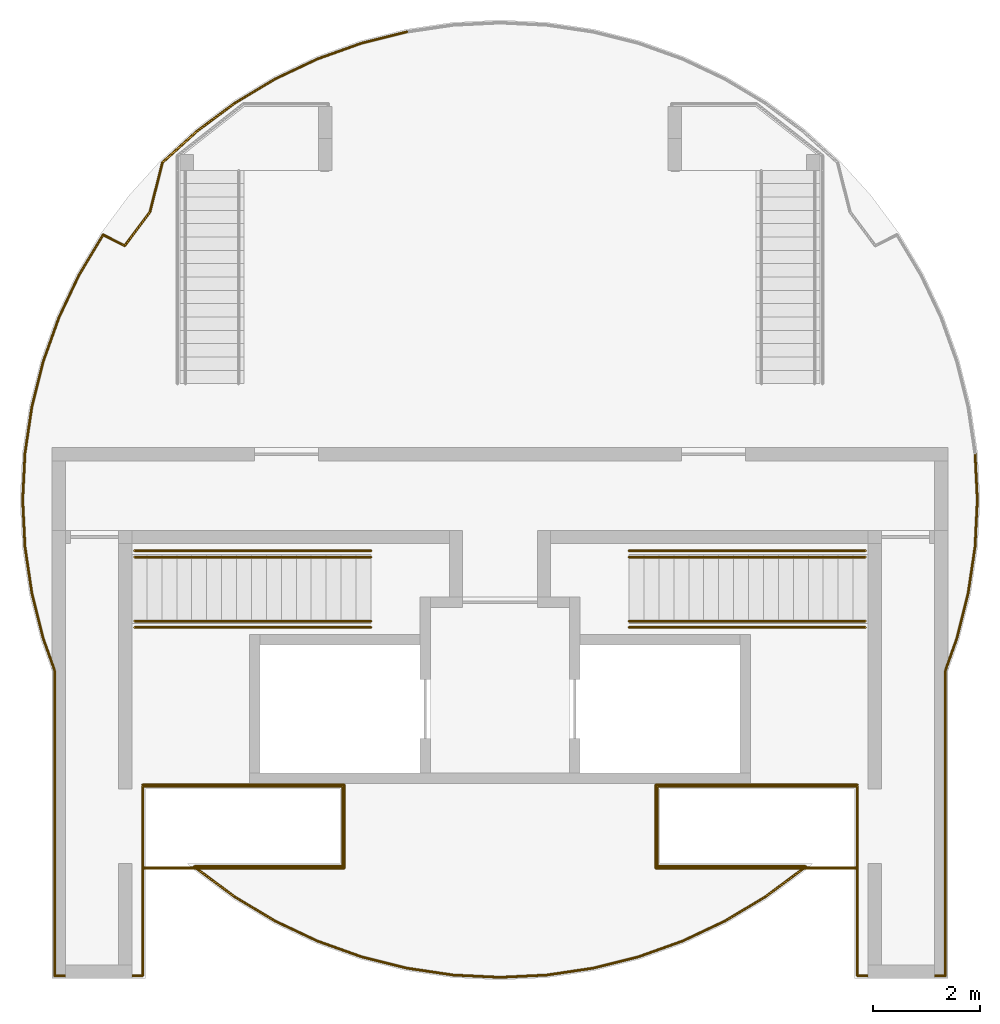
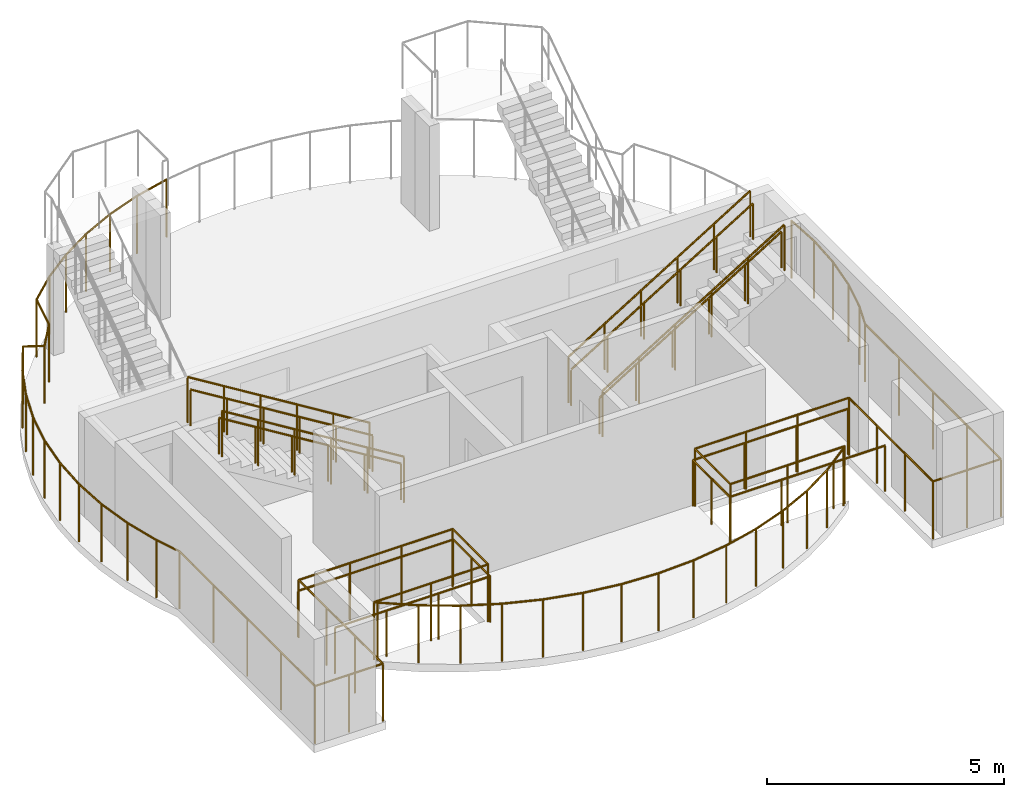
# One storey, part 3 of 4: 14 railings.
"""IFC4 building model written with IfcOpenShell, lengths in metres."""

from ifc_helpers import new_model, si_unit, direction, frame, origin, origin_2d, place, context, subcontext, project, spatial, circle, extrude, material, type_object, element, save


model = new_model("IFC4")

# Units and contexts
model_context = context("Model", 3, precision=1e-05, world=origin(), true_north=direction((0.0, 1.0)))
body_context = subcontext(model_context, "Body", "Model", "MODEL_VIEW")
ifc_project = project(units=[si_unit("LENGTHUNIT", "METRE"), si_unit("AREAUNIT", "SQUARE_METRE"), si_unit("VOLUMEUNIT", "CUBIC_METRE"), si_unit("PLANEANGLEUNIT", "RADIAN"), si_unit("MASSUNIT", "GRAM", prefix="KILO")], contexts=[model_context])

# Site, building, storey
site_placement = place(None, origin())
site = spatial("IfcSite", under=ifc_project, at=site_placement, CompositionType="ELEMENT")
building_placement = place(site_placement, origin())
building = spatial("IfcBuilding", under=site, at=building_placement, Name="Fogline Exchange Tower", CompositionType="ELEMENT")
storey_placement = place(building_placement, frame((0.0, 0.0, 369.199951171875)))
storey = spatial("IfcBuildingStorey", under=building, at=storey_placement, Name="RF-2", CompositionType="ELEMENT", Elevation=369.199951171875)

# Railings
ifc_material = material(Name="Stainless steel 304", Category="steel")
railing_type_1 = type_object("IfcRailingType", Name="G1", PredefinedType="GUARDRAIL", material=ifc_material)
for number, where, name in (
    (1, (-2.419921875, 8.580078125, 0.170654296875), "Roof stair guard RS1"),
    (2, (-2.419921875, 10.02001953125, 0.170654296875), "Roof stair guard RS1"),
):
    element("IfcRailing", number, at=place(storey_placement, frame(where)), inside=storey, type_object=railing_type_1, Name=name, PredefinedType="GUARDRAIL", context=body_context, shape_type="SweptSolid", body=[
        extrude(circle(Radius=0.02392578125, at=origin_2d()), frame((0.0, 0.0, 1.17578125), z_axis=(-0.851381117402, 0.0, 0.524547607878), x_axis=(0.0, -1.0, 0.0)), (0.0, 0.0, 1.0), 5.20361328125),
        extrude(circle(Radius=0.02099609375, at=origin_2d()), origin(), (0.0, 0.0, 1.0), 1.15185546875),
        extrude(circle(Radius=0.02099609375, at=origin_2d()), frame((-0.885986328125, 0.0, 0.5458984375)), (0.0, 0.0, 1.0), 1.15185546875),
        extrude(circle(Radius=0.02099609375, at=origin_2d()), frame((-1.77197265625, 0.0, 1.091796875)), (0.0, 0.0, 1.0), 1.15185546875),
        extrude(circle(Radius=0.02099609375, at=origin_2d()), frame((-2.658203125, 0.0, 1.6376953125)), (0.0, 0.0, 1.0), 1.15185546875),
        extrude(circle(Radius=0.02099609375, at=origin_2d()), frame((-3.544189453125, 0.0, 2.18359375)), (0.0, 0.0, 1.0), 1.15185546875),
        extrude(circle(Radius=0.02099609375, at=origin_2d()), frame((-4.43017578125, 0.0, 2.7294921875)), (0.0, 0.0, 1.0), 1.15185546875),
    ])
for number, where, name in (
    (3, (2.419921875, 8.580078125, 0.170654296875), "Roof stair guard RS2"),
    (4, (2.419921875, 10.02001953125, 0.170654296875), "Roof stair guard RS2"),
):
    element("IfcRailing", number, at=place(storey_placement, frame(where)), inside=storey, type_object=railing_type_1, Name=name, PredefinedType="GUARDRAIL", context=body_context, shape_type="SweptSolid", body=[
        extrude(circle(Radius=0.02392578125, at=origin_2d()), frame((0.0, 0.0, 1.17578125), z_axis=(0.851381117402, 0.0, 0.524547607878), x_axis=(0.0, 1.0, 0.0)), (0.0, 0.0, 1.0), 5.20361328125),
        extrude(circle(Radius=0.02099609375, at=origin_2d()), origin(), (0.0, 0.0, 1.0), 1.15185546875),
        extrude(circle(Radius=0.02099609375, at=origin_2d()), frame((0.885986328125, 0.0, 0.5458984375)), (0.0, 0.0, 1.0), 1.15185546875),
        extrude(circle(Radius=0.02099609375, at=origin_2d()), frame((1.77197265625, 0.0, 1.091796875)), (0.0, 0.0, 1.0), 1.15185546875),
        extrude(circle(Radius=0.02099609375, at=origin_2d()), frame((2.658203125, 0.0, 1.6376953125)), (0.0, 0.0, 1.0), 1.15185546875),
        extrude(circle(Radius=0.02099609375, at=origin_2d()), frame((3.544189453125, 0.0, 2.18359375)), (0.0, 0.0, 1.0), 1.15185546875),
        extrude(circle(Radius=0.02099609375, at=origin_2d()), frame((4.43017578125, 0.0, 2.7294921875)), (0.0, 0.0, 1.0), 1.15185546875),
    ])
railing_1_placement = place(storey_placement, frame((-2.919921875, 4.070068359375, 0.0)))
element("IfcRailing", 5, at=railing_1_placement, inside=storey, type_object=railing_type_1, Name="Helipad stair opening guard", PredefinedType="GUARDRAIL", context=body_context, shape_type="SweptSolid", body=[
    extrude(circle(Radius=0.02392578125, at=origin_2d()), frame((0.0, 0.0, 1.17578125), z_axis=(-1.0, 0.0, 0.0), x_axis=(0.0, -1.0, 0.0)), (0.0, 0.0, 1.0), 3.780029296875),
    extrude(circle(Radius=0.02099609375, at=origin_2d()), origin(), (0.0, 0.0, 1.0), 1.15185546875),
    extrude(circle(Radius=0.02099609375, at=origin_2d()), frame((-1.260009765625, 0.0, 0.0)), (0.0, 0.0, 1.0), 1.15185546875),
    extrude(circle(Radius=0.02099609375, at=origin_2d()), frame((-2.52001953125, 0.0, 0.0)), (0.0, 0.0, 1.0), 1.15185546875),
    extrude(circle(Radius=0.02099609375, at=origin_2d()), frame((-3.780029296875, 0.0, 0.0)), (0.0, 0.0, 1.0), 1.15185546875),
])
railing_2_placement = place(storey_placement, frame((-6.699951171875, 5.6298828125, 0.0)))
element("IfcRailing", 6, at=railing_2_placement, inside=storey, type_object=railing_type_1, Name="Helipad stair opening guard", PredefinedType="GUARDRAIL", context=body_context, shape_type="SweptSolid", body=[
    extrude(circle(Radius=0.02392578125, at=origin_2d()), frame((0.0, 0.0, 1.17578125), z_axis=(1.0, 0.0, 0.0), x_axis=(0.0, 1.0, 0.0)), (0.0, 0.0, 1.0), 3.780029296875),
    extrude(circle(Radius=0.02392578125, at=origin_2d()), frame((3.780029296875, 0.0, 1.17578125), z_axis=(0.0, -1.0, 0.0), x_axis=(1.0, 0.0, 0.0)), (0.0, 0.0, 1.0), 1.559814453125),
    extrude(circle(Radius=0.02099609375, at=origin_2d()), origin(), (0.0, 0.0, 1.0), 1.15185546875),
    extrude(circle(Radius=0.02099609375, at=origin_2d()), frame((1.260009765625, 0.0, 0.0)), (0.0, 0.0, 1.0), 1.15185546875),
    extrude(circle(Radius=0.02099609375, at=origin_2d()), frame((2.52001953125, 0.0, 0.0)), (0.0, 0.0, 1.0), 1.15185546875),
    extrude(circle(Radius=0.02099609375, at=origin_2d()), frame((3.780029296875, 0.0, 0.0)), (0.0, 0.0, 1.0), 1.15185546875),
    extrude(circle(Radius=0.02099609375, at=origin_2d()), frame((3.780029296875, -0.77978515625, 0.0)), (0.0, 0.0, 1.0), 1.15185546875),
    extrude(circle(Radius=0.02099609375, at=origin_2d()), frame((3.780029296875, -1.559814453125, 0.0)), (0.0, 0.0, 1.0), 1.15185546875),
])
railing_3_placement = place(storey_placement, frame((6.699951171875, 4.070068359375, 0.0)))
element("IfcRailing", 7, at=railing_3_placement, inside=storey, type_object=railing_type_1, Name="Helipad stair opening guard", PredefinedType="GUARDRAIL", context=body_context, shape_type="SweptSolid", body=[
    extrude(circle(Radius=0.02392578125, at=origin_2d()), frame((0.0, 0.0, 1.17578125), z_axis=(-1.0, 0.0, 0.0), x_axis=(0.0, -1.0, 0.0)), (0.0, 0.0, 1.0), 3.780029296875),
    extrude(circle(Radius=0.02392578125, at=origin_2d()), frame((-3.780029296875, 0.0, 1.17578125), z_axis=(0.0, 1.0, 0.0), x_axis=(-1.0, 0.0, 0.0)), (0.0, 0.0, 1.0), 1.559814453125),
    extrude(circle(Radius=0.02392578125, at=origin_2d()), frame((-3.780029296875, 1.559814453125, 1.17578125), z_axis=(1.0, 0.0, 0.0), x_axis=(0.0, 1.0, 0.0)), (0.0, 0.0, 1.0), 3.780029296875),
    extrude(circle(Radius=0.02099609375, at=origin_2d()), origin(), (0.0, 0.0, 1.0), 1.15185546875),
    extrude(circle(Radius=0.02099609375, at=origin_2d()), frame((-1.260009765625, 0.0, 0.0)), (0.0, 0.0, 1.0), 1.15185546875),
    extrude(circle(Radius=0.02099609375, at=origin_2d()), frame((-2.52001953125, 0.0, 0.0)), (0.0, 0.0, 1.0), 1.15185546875),
    extrude(circle(Radius=0.02099609375, at=origin_2d()), frame((-3.780029296875, 0.0, 0.0)), (0.0, 0.0, 1.0), 1.15185546875),
    extrude(circle(Radius=0.02099609375, at=origin_2d()), frame((-3.780029296875, 0.77978515625, 0.0)), (0.0, 0.0, 1.0), 1.15185546875),
    extrude(circle(Radius=0.02099609375, at=origin_2d()), frame((-3.780029296875, 1.559814453125, 0.0)), (0.0, 0.0, 1.0), 1.15185546875),
    extrude(circle(Radius=0.02099609375, at=origin_2d()), frame((-2.52001953125, 1.559814453125, 0.0)), (0.0, 0.0, 1.0), 1.15185546875),
    extrude(circle(Radius=0.02099609375, at=origin_2d()), frame((-1.260009765625, 1.559814453125, 0.0)), (0.0, 0.0, 1.0), 1.15185546875),
    extrude(circle(Radius=0.02099609375, at=origin_2d()), frame((0.0, 1.559814453125, 0.0)), (0.0, 0.0, 1.0), 1.15185546875),
])
railing_type_2 = type_object("IfcRailingType", Name="G2", PredefinedType="GUARDRAIL", material=ifc_material)
railing_4_placement = place(storey_placement, frame((-8.564697265625, 8.371826171875, 0.0)))
element("IfcRailing", 8, at=railing_4_placement, inside=storey, type_object=railing_type_2, Name="Helipad safety net guard", PredefinedType="GUARDRAIL", context=body_context, shape_type="SweptSolid", body=[
    extrude(circle(Radius=0.02392578125, at=origin_2d()), frame((0.0, 0.0, 1.47607421875), z_axis=(-0.242862522725, 0.970060717201, 0.0), x_axis=(-0.970060717201, -0.242862522725, 0.0)), (0.0, 0.0, 1.0), 0.878662109375),
    extrude(circle(Radius=0.02392578125, at=origin_2d()), frame((-0.21337890625, 0.852294921875, 1.47607421875), z_axis=(-0.146790471398, 0.989167608399, 0.0), x_axis=(-0.989167608399, -0.146790471398, 0.0)), (0.0, 0.0, 1.0), 0.878173828125),
    extrude(circle(Radius=0.02392578125, at=origin_2d()), frame((-0.34228515625, 1.720947265625, 1.47607421875), z_axis=(-0.048925473982, 0.998802431913, 0.0), x_axis=(-0.998802431913, -0.048925473982, 0.0)), (0.0, 0.0, 1.0), 0.878173828125),
    extrude(circle(Radius=0.02392578125, at=origin_2d()), frame((-0.38525390625, 2.59814453125, 1.47607421875), z_axis=(0.048911893456, 0.998803097051, 0.0), x_axis=(-0.998803097051, 0.048911893456, 0.0)), (0.0, 0.0, 1.0), 0.87841796875),
    extrude(circle(Radius=0.02392578125, at=origin_2d()), frame((-0.34228515625, 3.4755859375, 1.47607421875), z_axis=(0.146790471398, 0.989167608399, 0.0), x_axis=(-0.989167608399, 0.146790471398, 0.0)), (0.0, 0.0, 1.0), 0.878173828125),
    extrude(circle(Radius=0.02392578125, at=origin_2d()), frame((-0.21337890625, 4.34423828125, 1.47607421875), z_axis=(0.24292800472, 0.970044320906, 0.0), x_axis=(-0.970044320906, 0.24292800472, 0.0)), (0.0, 0.0, 1.0), 0.87841796875),
    extrude(circle(Radius=0.02392578125, at=origin_2d()), frame((0.0, 5.1962890625, 1.47607421875), z_axis=(0.336917459354, 0.941534187155, 0.0), x_axis=(-0.941534187155, 0.336917459354, 0.0)), (0.0, 0.0, 1.0), 0.878173828125),
    extrude(circle(Radius=0.02392578125, at=origin_2d()), frame((0.2958984375, 6.023193359375, 1.47607421875), z_axis=(0.427536590389, 0.903998044178, 0.0), x_axis=(-0.903998044178, 0.427536590389, 0.0)), (0.0, 0.0, 1.0), 0.878173828125),
    extrude(circle(Radius=0.02392578125, at=origin_2d()), frame((0.67138671875, 6.817138671875, 1.47607421875), z_axis=(0.51416874267, 0.857689048584, 0.0), x_axis=(-0.857689048584, 0.51416874267, 0.0)), (0.0, 0.0, 1.0), 0.87841796875),
    extrude(circle(Radius=0.02392578125, at=origin_2d()), frame((1.123046875, 7.570556640625, 1.47607421875), z_axis=(0.892154411471, -0.451730568029, 0.0), x_axis=(0.451730568029, 0.892154411471, 0.0)), (0.0, 0.0, 1.0), 0.453369140625),
    extrude(circle(Radius=0.02392578125, at=origin_2d()), frame((1.527587890625, 7.36572265625, 1.47607421875), z_axis=(0.598862821399, 0.800851622428, 0.0), x_axis=(-0.800851622428, 0.598862821399, 0.0)), (0.0, 0.0, 1.0), 0.79052734375),
    extrude(circle(Radius=0.02392578125, at=origin_2d()), frame((2.0009765625, 7.998779296875, 1.47607421875), z_axis=(0.245594789477, 0.969372580271, 0.0), x_axis=(-0.969372580271, 0.245594789477, 0.0)), (0.0, 0.0, 1.0), 0.957275390625),
    extrude(circle(Radius=0.02392578125, at=origin_2d()), frame((2.236083984375, 8.9267578125, 1.47607421875), z_axis=(0.740995595173, 0.671509886699, 0.0), x_axis=(-0.671509886699, 0.740995595173, 0.0)), (0.0, 0.0, 1.0), 0.87841796875),
    extrude(circle(Radius=0.02392578125, at=origin_2d()), frame((2.886962890625, 9.5166015625, 1.47607421875), z_axis=(0.803158103208, 0.595765945024, 0.0), x_axis=(-0.595765945024, 0.803158103208, 0.0)), (0.0, 0.0, 1.0), 0.878173828125),
    extrude(circle(Radius=0.02392578125, at=origin_2d()), frame((3.59228515625, 10.039794921875, 1.47607421875), z_axis=(0.857689048584, 0.51416874267, 0.0), x_axis=(-0.51416874267, 0.857689048584, 0.0)), (0.0, 0.0, 1.0), 0.87841796875),
    extrude(circle(Radius=0.02392578125, at=origin_2d()), frame((4.345703125, 10.491455078125, 1.47607421875), z_axis=(0.903998044178, 0.427536590389, 0.0), x_axis=(-0.427536590389, 0.903998044178, 0.0)), (0.0, 0.0, 1.0), 0.878173828125),
    extrude(circle(Radius=0.02392578125, at=origin_2d()), frame((5.1396484375, 10.866943359375, 1.47607421875), z_axis=(0.941534187155, 0.336917459354, 0.0), x_axis=(-0.336917459354, 0.941534187155, 0.0)), (0.0, 0.0, 1.0), 0.878173828125),
    extrude(circle(Radius=0.02392578125, at=origin_2d()), frame((5.966552734375, 11.162841796875, 1.47607421875), z_axis=(0.970044320906, 0.24292800472, 0.0), x_axis=(-0.24292800472, 0.970044320906, 0.0)), (0.0, 0.0, 1.0), 0.87841796875),
    extrude(circle(Radius=0.02099609375, at=origin_2d()), origin(), (0.0, 0.0, 1.0), 1.451904296875),
    extrude(circle(Radius=0.02099609375, at=origin_2d()), frame((-0.21337890625, 0.852294921875, 0.0)), (0.0, 0.0, 1.0), 1.451904296875),
    extrude(circle(Radius=0.02099609375, at=origin_2d()), frame((-0.34228515625, 1.720947265625, 0.0)), (0.0, 0.0, 1.0), 1.451904296875),
    extrude(circle(Radius=0.02099609375, at=origin_2d()), frame((-0.38525390625, 2.59814453125, 0.0)), (0.0, 0.0, 1.0), 1.451904296875),
    extrude(circle(Radius=0.02099609375, at=origin_2d()), frame((-0.34228515625, 3.4755859375, 0.0)), (0.0, 0.0, 1.0), 1.451904296875),
    extrude(circle(Radius=0.02099609375, at=origin_2d()), frame((-0.21337890625, 4.34423828125, 0.0)), (0.0, 0.0, 1.0), 1.451904296875),
    extrude(circle(Radius=0.02099609375, at=origin_2d()), frame((0.0, 5.1962890625, 0.0)), (0.0, 0.0, 1.0), 1.451904296875),
    extrude(circle(Radius=0.02099609375, at=origin_2d()), frame((0.2958984375, 6.023193359375, 0.0)), (0.0, 0.0, 1.0), 1.451904296875),
    extrude(circle(Radius=0.02099609375, at=origin_2d()), frame((0.67138671875, 6.817138671875, 0.0)), (0.0, 0.0, 1.0), 1.451904296875),
    extrude(circle(Radius=0.02099609375, at=origin_2d()), frame((1.123046875, 7.570556640625, 0.0)), (0.0, 0.0, 1.0), 1.451904296875),
    extrude(circle(Radius=0.02099609375, at=origin_2d()), frame((1.527587890625, 7.36572265625, 0.0)), (0.0, 0.0, 1.0), 1.451904296875),
    extrude(circle(Radius=0.02099609375, at=origin_2d()), frame((2.0009765625, 7.998779296875, 0.0)), (0.0, 0.0, 1.0), 1.451904296875),
    extrude(circle(Radius=0.02099609375, at=origin_2d()), frame((2.236083984375, 8.9267578125, 0.0)), (0.0, 0.0, 1.0), 1.451904296875),
    extrude(circle(Radius=0.02099609375, at=origin_2d()), frame((2.886962890625, 9.5166015625, 0.0)), (0.0, 0.0, 1.0), 1.451904296875),
    extrude(circle(Radius=0.02099609375, at=origin_2d()), frame((3.59228515625, 10.039794921875, 0.0)), (0.0, 0.0, 1.0), 1.451904296875),
    extrude(circle(Radius=0.02099609375, at=origin_2d()), frame((4.345703125, 10.491455078125, 0.0)), (0.0, 0.0, 1.0), 1.451904296875),
    extrude(circle(Radius=0.02099609375, at=origin_2d()), frame((5.1396484375, 10.866943359375, 0.0)), (0.0, 0.0, 1.0), 1.451904296875),
    extrude(circle(Radius=0.02099609375, at=origin_2d()), frame((5.966552734375, 11.162841796875, 0.0)), (0.0, 0.0, 1.0), 1.451904296875),
    extrude(circle(Radius=0.02099609375, at=origin_2d()), frame((6.818603515625, 11.376220703125, 0.0)), (0.0, 0.0, 1.0), 1.451904296875),
])
railing_5_placement = place(storey_placement, frame((8.906982421875, 11.847412109375, 0.0)))
element("IfcRailing", 9, at=railing_5_placement, inside=storey, type_object=railing_type_2, Name="Helipad safety net guard", PredefinedType="GUARDRAIL", context=body_context, shape_type="SweptSolid", body=[
    extrude(circle(Radius=0.02392578125, at=origin_2d()), frame((0.0, 0.0, 1.47607421875), z_axis=(0.048911893456, -0.998803097051, 0.0), x_axis=(0.998803097051, 0.048911893456, 0.0)), (0.0, 0.0, 1.0), 0.87841796875),
    extrude(circle(Radius=0.02392578125, at=origin_2d()), frame((0.04296875, -0.87744140625, 1.47607421875), z_axis=(-0.048925473982, -0.998802431913, 0.0), x_axis=(0.998802431913, -0.048925473982, 0.0)), (0.0, 0.0, 1.0), 0.878173828125),
    extrude(circle(Radius=0.02392578125, at=origin_2d()), frame((0.0, -1.754638671875, 1.47607421875), z_axis=(-0.146790471398, -0.989167608399, 0.0), x_axis=(0.989167608399, -0.146790471398, 0.0)), (0.0, 0.0, 1.0), 0.878173828125),
    extrude(circle(Radius=0.02392578125, at=origin_2d()), frame((-0.12890625, -2.623291015625, 1.47607421875), z_axis=(-0.242862522725, -0.970060717201, 0.0), x_axis=(0.970060717201, -0.242862522725, 0.0)), (0.0, 0.0, 1.0), 0.878662109375),
    extrude(circle(Radius=0.02392578125, at=origin_2d()), frame((-0.34228515625, -3.4755859375, 1.47607421875), z_axis=(-0.336967727168, -0.941516197868, 0.0), x_axis=(0.941516197868, -0.336967727168, 0.0)), (0.0, 0.0, 1.0), 0.636962890625),
    extrude(circle(Radius=0.02392578125, at=origin_2d()), frame((-0.556884765625, -4.0751953125, 1.47607421875), z_axis=(0.0, -1.0, 0.0), x_axis=(1.0, 0.0, 0.0)), (0.0, 0.0, 1.0), 5.72216796875),
    extrude(circle(Radius=0.02392578125, at=origin_2d()), frame((-0.556884765625, -9.79736328125, 1.47607421875), z_axis=(-1.0, 0.0, 0.0), x_axis=(0.0, -1.0, 0.0)), (0.0, 0.0, 1.0), 1.650146484375),
    extrude(circle(Radius=0.02392578125, at=origin_2d()), frame((-2.20703125, -9.79736328125, 1.47607421875), z_axis=(0.0, 1.0, 0.0), x_axis=(-1.0, 0.0, 0.0)), (0.0, 0.0, 1.0), 3.550048828125),
    extrude(circle(Radius=0.02392578125, at=origin_2d()), frame((-2.20703125, -6.247314453125, 1.47607421875), z_axis=(-1.0, 0.0, 0.0), x_axis=(0.0, -1.0, 0.0)), (0.0, 0.0, 1.0), 3.75),
    extrude(circle(Radius=0.02392578125, at=origin_2d()), frame((-5.95703125, -6.247314453125, 1.47607421875), z_axis=(0.0, -1.0, 0.0), x_axis=(1.0, 0.0, 0.0)), (0.0, 0.0, 1.0), 1.5),
    extrude(circle(Radius=0.02392578125, at=origin_2d()), frame((-5.95703125, -7.747314453125, 1.47607421875), z_axis=(1.0, 0.0, 0.0), x_axis=(0.0, 1.0, 0.0)), (0.0, 0.0, 1.0), 2.78125),
    extrude(circle(Radius=0.02392578125, at=origin_2d()), frame((-3.17578125, -7.747314453125, 1.47607421875), z_axis=(-0.740092969207, -0.672504570193, 0.0), x_axis=(0.672504570193, -0.740092969207, 0.0)), (0.0, 0.0, 1.0), 0.072265625),
    extrude(circle(Radius=0.02392578125, at=origin_2d()), frame((-3.229248046875, -7.7958984375, 1.47607421875), z_axis=(-0.803158103208, -0.595765945024, 0.0), x_axis=(0.595765945024, -0.803158103208, 0.0)), (0.0, 0.0, 1.0), 0.878173828125),
    extrude(circle(Radius=0.02392578125, at=origin_2d()), frame((-3.9345703125, -8.319091796875, 1.47607421875), z_axis=(-0.857811607572, -0.513964245755, 0.0), x_axis=(0.513964245755, -0.857811607572, 0.0)), (0.0, 0.0, 1.0), 0.87841796875),
    extrude(circle(Radius=0.02392578125, at=origin_2d()), frame((-4.68798828125, -8.7705078125, 1.47607421875), z_axis=(-0.903998044178, -0.427536590389, 0.0), x_axis=(0.427536590389, -0.903998044178, 0.0)), (0.0, 0.0, 1.0), 0.878173828125),
    extrude(circle(Radius=0.02392578125, at=origin_2d()), frame((-5.48193359375, -9.14599609375, 1.47607421875), z_axis=(-0.941534187155, -0.336917459354, 0.0), x_axis=(0.336917459354, -0.941534187155, 0.0)), (0.0, 0.0, 1.0), 0.878173828125),
    extrude(circle(Radius=0.02392578125, at=origin_2d()), frame((-6.308837890625, -9.44189453125, 1.47607421875), z_axis=(-0.96997879098, -0.243189524959, 0.0), x_axis=(0.243189524959, -0.96997879098, 0.0)), (0.0, 0.0, 1.0), 0.87841796875),
    extrude(circle(Radius=0.02099609375, at=origin_2d()), origin(), (0.0, 0.0, 1.0), 1.451904296875),
    extrude(circle(Radius=0.02099609375, at=origin_2d()), frame((0.04296875, -0.87744140625, 0.0)), (0.0, 0.0, 1.0), 1.451904296875),
    extrude(circle(Radius=0.02099609375, at=origin_2d()), frame((0.0, -1.754638671875, 0.0)), (0.0, 0.0, 1.0), 1.451904296875),
    extrude(circle(Radius=0.02099609375, at=origin_2d()), frame((-0.12890625, -2.623291015625, 0.0)), (0.0, 0.0, 1.0), 1.451904296875),
    extrude(circle(Radius=0.02099609375, at=origin_2d()), frame((-0.34228515625, -3.4755859375, 0.0)), (0.0, 0.0, 1.0), 1.451904296875),
    extrude(circle(Radius=0.02099609375, at=origin_2d()), frame((-0.556884765625, -4.0751953125, 0.0)), (0.0, 0.0, 1.0), 1.451904296875),
    extrude(circle(Radius=0.02099609375, at=origin_2d()), frame((-0.556884765625, -5.505859375, 0.0)), (0.0, 0.0, 1.0), 1.451904296875),
    extrude(circle(Radius=0.02099609375, at=origin_2d()), frame((-0.556884765625, -6.936279296875, 0.0)), (0.0, 0.0, 1.0), 1.451904296875),
    extrude(circle(Radius=0.02099609375, at=origin_2d()), frame((-0.556884765625, -8.36669921875, 0.0)), (0.0, 0.0, 1.0), 1.451904296875),
    extrude(circle(Radius=0.02099609375, at=origin_2d()), frame((-0.556884765625, -9.79736328125, 0.0)), (0.0, 0.0, 1.0), 1.451904296875),
    extrude(circle(Radius=0.02099609375, at=origin_2d()), frame((-1.3818359375, -9.79736328125, 0.0)), (0.0, 0.0, 1.0), 1.451904296875),
    extrude(circle(Radius=0.02099609375, at=origin_2d()), frame((-2.20703125, -9.79736328125, 0.0)), (0.0, 0.0, 1.0), 1.451904296875),
    extrude(circle(Radius=0.02099609375, at=origin_2d()), frame((-2.20703125, -8.614013671875, 0.0)), (0.0, 0.0, 1.0), 1.451904296875),
    extrude(circle(Radius=0.02099609375, at=origin_2d()), frame((-2.20703125, -7.4306640625, 0.0)), (0.0, 0.0, 1.0), 1.451904296875),
    extrude(circle(Radius=0.02099609375, at=origin_2d()), frame((-2.20703125, -6.247314453125, 0.0)), (0.0, 0.0, 1.0), 1.451904296875),
    extrude(circle(Radius=0.02099609375, at=origin_2d()), frame((-3.45703125, -6.247314453125, 0.0)), (0.0, 0.0, 1.0), 1.451904296875),
    extrude(circle(Radius=0.02099609375, at=origin_2d()), frame((-4.70703125, -6.247314453125, 0.0)), (0.0, 0.0, 1.0), 1.451904296875),
    extrude(circle(Radius=0.02099609375, at=origin_2d()), frame((-5.95703125, -6.247314453125, 0.0)), (0.0, 0.0, 1.0), 1.451904296875),
    extrude(circle(Radius=0.02099609375, at=origin_2d()), frame((-5.95703125, -7.747314453125, 0.0)), (0.0, 0.0, 1.0), 1.451904296875),
    extrude(circle(Radius=0.02099609375, at=origin_2d()), frame((-4.56640625, -7.747314453125, 0.0)), (0.0, 0.0, 1.0), 1.451904296875),
    extrude(circle(Radius=0.02099609375, at=origin_2d()), frame((-3.17578125, -7.747314453125, 0.0)), (0.0, 0.0, 1.0), 1.451904296875),
    extrude(circle(Radius=0.02099609375, at=origin_2d()), frame((-3.229248046875, -7.7958984375, 0.0)), (0.0, 0.0, 1.0), 1.451904296875),
    extrude(circle(Radius=0.02099609375, at=origin_2d()), frame((-3.9345703125, -8.319091796875, 0.0)), (0.0, 0.0, 1.0), 1.451904296875),
    extrude(circle(Radius=0.02099609375, at=origin_2d()), frame((-4.68798828125, -8.7705078125, 0.0)), (0.0, 0.0, 1.0), 1.451904296875),
    extrude(circle(Radius=0.02099609375, at=origin_2d()), frame((-5.48193359375, -9.14599609375, 0.0)), (0.0, 0.0, 1.0), 1.451904296875),
    extrude(circle(Radius=0.02099609375, at=origin_2d()), frame((-6.308837890625, -9.44189453125, 0.0)), (0.0, 0.0, 1.0), 1.451904296875),
    extrude(circle(Radius=0.02099609375, at=origin_2d()), frame((-7.160888671875, -9.655517578125, 0.0)), (0.0, 0.0, 1.0), 1.451904296875),
])
railing_6_placement = place(storey_placement, frame((1.74609375, 2.19189453125, 0.0)))
element("IfcRailing", 10, at=railing_6_placement, inside=storey, type_object=railing_type_2, Name="Helipad safety net guard", PredefinedType="GUARDRAIL", context=body_context, shape_type="SweptSolid", body=[
    extrude(circle(Radius=0.02392578125, at=origin_2d()), frame((0.0, 0.0, 1.47607421875), z_axis=(-0.989173596382, -0.146750114889, 0.0), x_axis=(0.146750114889, -0.989173596382, 0.0)), (0.0, 0.0, 1.0), 0.87841796875),
    extrude(circle(Radius=0.02392578125, at=origin_2d()), frame((-0.868896484375, -0.12890625, 1.47607421875), z_axis=(-0.998802431913, -0.048925473982, 0.0), x_axis=(0.048925473982, -0.998802431913, 0.0)), (0.0, 0.0, 1.0), 0.878173828125),
    extrude(circle(Radius=0.02392578125, at=origin_2d()), frame((-1.74609375, -0.171875, 1.47607421875), z_axis=(-0.998802431913, 0.048925473982, 0.0), x_axis=(-0.048925473982, -0.998802431913, 0.0)), (0.0, 0.0, 1.0), 0.878173828125),
    extrude(circle(Radius=0.02392578125, at=origin_2d()), frame((-2.623291015625, -0.12890625, 1.47607421875), z_axis=(-0.989173596382, 0.146750114889, 0.0), x_axis=(-0.146750114889, -0.989173596382, 0.0)), (0.0, 0.0, 1.0), 0.87841796875),
    extrude(circle(Radius=0.02392578125, at=origin_2d()), frame((-3.4921875, 0.0, 1.47607421875), z_axis=(-0.96997879098, 0.243189524959, 0.0), x_axis=(-0.243189524959, -0.96997879098, 0.0)), (0.0, 0.0, 1.0), 0.87841796875),
    extrude(circle(Radius=0.02392578125, at=origin_2d()), frame((-4.34423828125, 0.213623046875, 1.47607421875), z_axis=(-0.941534187155, 0.336917459354, 0.0), x_axis=(-0.336917459354, -0.941534187155, 0.0)), (0.0, 0.0, 1.0), 0.878173828125),
    extrude(circle(Radius=0.02392578125, at=origin_2d()), frame((-5.171142578125, 0.509521484375, 1.47607421875), z_axis=(-0.903998044178, 0.427536590389, 0.0), x_axis=(-0.427536590389, -0.903998044178, 0.0)), (0.0, 0.0, 1.0), 0.878173828125),
    extrude(circle(Radius=0.02392578125, at=origin_2d()), frame((-5.965087890625, 0.885009765625, 1.47607421875), z_axis=(-0.857811607572, 0.513964245755, 0.0), x_axis=(-0.513964245755, -0.857811607572, 0.0)), (0.0, 0.0, 1.0), 0.87841796875),
    extrude(circle(Radius=0.02392578125, at=origin_2d()), frame((-6.718505859375, 1.33642578125, 1.47607421875), z_axis=(-0.803158103208, 0.595765945024, 0.0), x_axis=(-0.595765945024, -0.803158103208, 0.0)), (0.0, 0.0, 1.0), 0.878173828125),
    extrude(circle(Radius=0.02392578125, at=origin_2d()), frame((-7.423828125, 1.859619140625, 1.47607421875), z_axis=(-0.740092969207, 0.672504570193, 0.0), x_axis=(-0.672504570193, -0.740092969207, 0.0)), (0.0, 0.0, 1.0), 0.072265625),
    extrude(circle(Radius=0.02392578125, at=origin_2d()), frame((-7.477294921875, 1.908203125, 1.47607421875), z_axis=(1.0, 0.0, 0.0), x_axis=(0.0, 1.0, 0.0)), (0.0, 0.0, 1.0), 2.78125),
    extrude(circle(Radius=0.02392578125, at=origin_2d()), frame((-4.696044921875, 1.908203125, 1.47607421875), z_axis=(0.0, 1.0, 0.0), x_axis=(-1.0, 0.0, 0.0)), (0.0, 0.0, 1.0), 1.5),
    extrude(circle(Radius=0.02392578125, at=origin_2d()), frame((-4.696044921875, 3.408203125, 1.47607421875), z_axis=(-1.0, 0.0, 0.0), x_axis=(0.0, -1.0, 0.0)), (0.0, 0.0, 1.0), 3.75),
    extrude(circle(Radius=0.02392578125, at=origin_2d()), frame((-8.446044921875, 3.408203125, 1.47607421875), z_axis=(0.0, -1.0, 0.0), x_axis=(1.0, 0.0, 0.0)), (0.0, 0.0, 1.0), 3.550048828125),
    extrude(circle(Radius=0.02392578125, at=origin_2d()), frame((-8.446044921875, -0.141845703125, 1.47607421875), z_axis=(-1.0, 0.0, 0.0), x_axis=(0.0, -1.0, 0.0)), (0.0, 0.0, 1.0), 1.650146484375),
    extrude(circle(Radius=0.02392578125, at=origin_2d()), frame((-10.09619140625, -0.141845703125, 1.47607421875), z_axis=(0.0, 1.0, 0.0), x_axis=(-1.0, 0.0, 0.0)), (0.0, 0.0, 1.0), 5.72216796875),
    extrude(circle(Radius=0.02392578125, at=origin_2d()), frame((-10.09619140625, 5.580322265625, 1.47607421875), z_axis=(-0.336967727168, 0.941516197868, 0.0), x_axis=(-0.941516197868, -0.336967727168, 0.0)), (0.0, 0.0, 1.0), 0.636962890625),
    extrude(circle(Radius=0.02099609375, at=origin_2d()), origin(), (0.0, 0.0, 1.0), 1.451904296875),
    extrude(circle(Radius=0.02099609375, at=origin_2d()), frame((-0.868896484375, -0.12890625, 0.0)), (0.0, 0.0, 1.0), 1.451904296875),
    extrude(circle(Radius=0.02099609375, at=origin_2d()), frame((-1.74609375, -0.171875, 0.0)), (0.0, 0.0, 1.0), 1.451904296875),
    extrude(circle(Radius=0.02099609375, at=origin_2d()), frame((-2.623291015625, -0.12890625, 0.0)), (0.0, 0.0, 1.0), 1.451904296875),
    extrude(circle(Radius=0.02099609375, at=origin_2d()), frame((-3.4921875, 0.0, 0.0)), (0.0, 0.0, 1.0), 1.451904296875),
    extrude(circle(Radius=0.02099609375, at=origin_2d()), frame((-4.34423828125, 0.213623046875, 0.0)), (0.0, 0.0, 1.0), 1.451904296875),
    extrude(circle(Radius=0.02099609375, at=origin_2d()), frame((-5.171142578125, 0.509521484375, 0.0)), (0.0, 0.0, 1.0), 1.451904296875),
    extrude(circle(Radius=0.02099609375, at=origin_2d()), frame((-5.965087890625, 0.885009765625, 0.0)), (0.0, 0.0, 1.0), 1.451904296875),
    extrude(circle(Radius=0.02099609375, at=origin_2d()), frame((-6.718505859375, 1.33642578125, 0.0)), (0.0, 0.0, 1.0), 1.451904296875),
    extrude(circle(Radius=0.02099609375, at=origin_2d()), frame((-7.423828125, 1.859619140625, 0.0)), (0.0, 0.0, 1.0), 1.451904296875),
    extrude(circle(Radius=0.02099609375, at=origin_2d()), frame((-7.477294921875, 1.908203125, 0.0)), (0.0, 0.0, 1.0), 1.451904296875),
    extrude(circle(Radius=0.02099609375, at=origin_2d()), frame((-6.086669921875, 1.908203125, 0.0)), (0.0, 0.0, 1.0), 1.451904296875),
    extrude(circle(Radius=0.02099609375, at=origin_2d()), frame((-4.696044921875, 1.908203125, 0.0)), (0.0, 0.0, 1.0), 1.451904296875),
    extrude(circle(Radius=0.02099609375, at=origin_2d()), frame((-4.696044921875, 3.408203125, 0.0)), (0.0, 0.0, 1.0), 1.451904296875),
    extrude(circle(Radius=0.02099609375, at=origin_2d()), frame((-5.946044921875, 3.408203125, 0.0)), (0.0, 0.0, 1.0), 1.451904296875),
    extrude(circle(Radius=0.02099609375, at=origin_2d()), frame((-7.196044921875, 3.408203125, 0.0)), (0.0, 0.0, 1.0), 1.451904296875),
    extrude(circle(Radius=0.02099609375, at=origin_2d()), frame((-8.446044921875, 3.408203125, 0.0)), (0.0, 0.0, 1.0), 1.451904296875),
    extrude(circle(Radius=0.02099609375, at=origin_2d()), frame((-8.446044921875, 2.224853515625, 0.0)), (0.0, 0.0, 1.0), 1.451904296875),
    extrude(circle(Radius=0.02099609375, at=origin_2d()), frame((-8.446044921875, 1.04150390625, 0.0)), (0.0, 0.0, 1.0), 1.451904296875),
    extrude(circle(Radius=0.02099609375, at=origin_2d()), frame((-8.446044921875, -0.141845703125, 0.0)), (0.0, 0.0, 1.0), 1.451904296875),
    extrude(circle(Radius=0.02099609375, at=origin_2d()), frame((-9.27099609375, -0.141845703125, 0.0)), (0.0, 0.0, 1.0), 1.451904296875),
    extrude(circle(Radius=0.02099609375, at=origin_2d()), frame((-10.09619140625, -0.141845703125, 0.0)), (0.0, 0.0, 1.0), 1.451904296875),
    extrude(circle(Radius=0.02099609375, at=origin_2d()), frame((-10.09619140625, 1.28857421875, 0.0)), (0.0, 0.0, 1.0), 1.451904296875),
    extrude(circle(Radius=0.02099609375, at=origin_2d()), frame((-10.09619140625, 2.71923828125, 0.0)), (0.0, 0.0, 1.0), 1.451904296875),
    extrude(circle(Radius=0.02099609375, at=origin_2d()), frame((-10.09619140625, 4.14990234375, 0.0)), (0.0, 0.0, 1.0), 1.451904296875),
    extrude(circle(Radius=0.02099609375, at=origin_2d()), frame((-10.09619140625, 5.580322265625, 0.0)), (0.0, 0.0, 1.0), 1.451904296875),
    extrude(circle(Radius=0.02099609375, at=origin_2d()), frame((-10.310791015625, 6.179931640625, 0.0)), (0.0, 0.0, 1.0), 1.451904296875),
])
railing_type_3 = type_object("IfcRailingType", Name="G3", PredefinedType="HANDRAIL", material=ifc_material)
for number, where, name in (
    (11, (-2.419921875, 8.699951171875, 0.170654296875), "Roof stair handrail RS1"),
    (12, (-2.419921875, 9.89990234375, 0.170654296875), "Roof stair handrail RS1"),
):
    element("IfcRailing", number, at=place(storey_placement, frame(where)), inside=storey, type_object=railing_type_3, Name=name, PredefinedType="HANDRAIL", context=body_context, shape_type="SweptSolid", body=[
        extrude(circle(Radius=0.02392578125, at=origin_2d()), frame((0.0, 0.0, 0.92578125), z_axis=(-0.851381117402, 0.0, 0.524547607878), x_axis=(0.0, -1.0, 0.0)), (0.0, 0.0, 1.0), 5.20361328125),
        extrude(circle(Radius=0.02099609375, at=origin_2d()), origin(), (0.0, 0.0, 1.0), 0.90185546875),
        extrude(circle(Radius=0.02099609375, at=origin_2d()), frame((-0.885986328125, 0.0, 0.5458984375)), (0.0, 0.0, 1.0), 0.90185546875),
        extrude(circle(Radius=0.02099609375, at=origin_2d()), frame((-1.77197265625, 0.0, 1.091796875)), (0.0, 0.0, 1.0), 0.90185546875),
        extrude(circle(Radius=0.02099609375, at=origin_2d()), frame((-2.658203125, 0.0, 1.6376953125)), (0.0, 0.0, 1.0), 0.90185546875),
        extrude(circle(Radius=0.02099609375, at=origin_2d()), frame((-3.544189453125, 0.0, 2.18359375)), (0.0, 0.0, 1.0), 0.90185546875),
        extrude(circle(Radius=0.02099609375, at=origin_2d()), frame((-4.43017578125, 0.0, 2.7294921875)), (0.0, 0.0, 1.0), 0.90185546875),
    ])
for number, where, name in (
    (13, (2.419921875, 8.699951171875, 0.170654296875), "Roof stair handrail RS2"),
    (14, (2.419921875, 9.89990234375, 0.170654296875), "Roof stair handrail RS2"),
):
    element("IfcRailing", number, at=place(storey_placement, frame(where)), inside=storey, type_object=railing_type_3, Name=name, PredefinedType="HANDRAIL", context=body_context, shape_type="SweptSolid", body=[
        extrude(circle(Radius=0.02392578125, at=origin_2d()), frame((0.0, 0.0, 0.92578125), z_axis=(0.851381117402, 0.0, 0.524547607878), x_axis=(0.0, 1.0, 0.0)), (0.0, 0.0, 1.0), 5.20361328125),
        extrude(circle(Radius=0.02099609375, at=origin_2d()), origin(), (0.0, 0.0, 1.0), 0.90185546875),
        extrude(circle(Radius=0.02099609375, at=origin_2d()), frame((0.885986328125, 0.0, 0.5458984375)), (0.0, 0.0, 1.0), 0.90185546875),
        extrude(circle(Radius=0.02099609375, at=origin_2d()), frame((1.77197265625, 0.0, 1.091796875)), (0.0, 0.0, 1.0), 0.90185546875),
        extrude(circle(Radius=0.02099609375, at=origin_2d()), frame((2.658203125, 0.0, 1.6376953125)), (0.0, 0.0, 1.0), 0.90185546875),
        extrude(circle(Radius=0.02099609375, at=origin_2d()), frame((3.544189453125, 0.0, 2.18359375)), (0.0, 0.0, 1.0), 0.90185546875),
        extrude(circle(Radius=0.02099609375, at=origin_2d()), frame((4.43017578125, 0.0, 2.7294921875)), (0.0, 0.0, 1.0), 0.90185546875),
    ])

save(model, "model.ifc")
